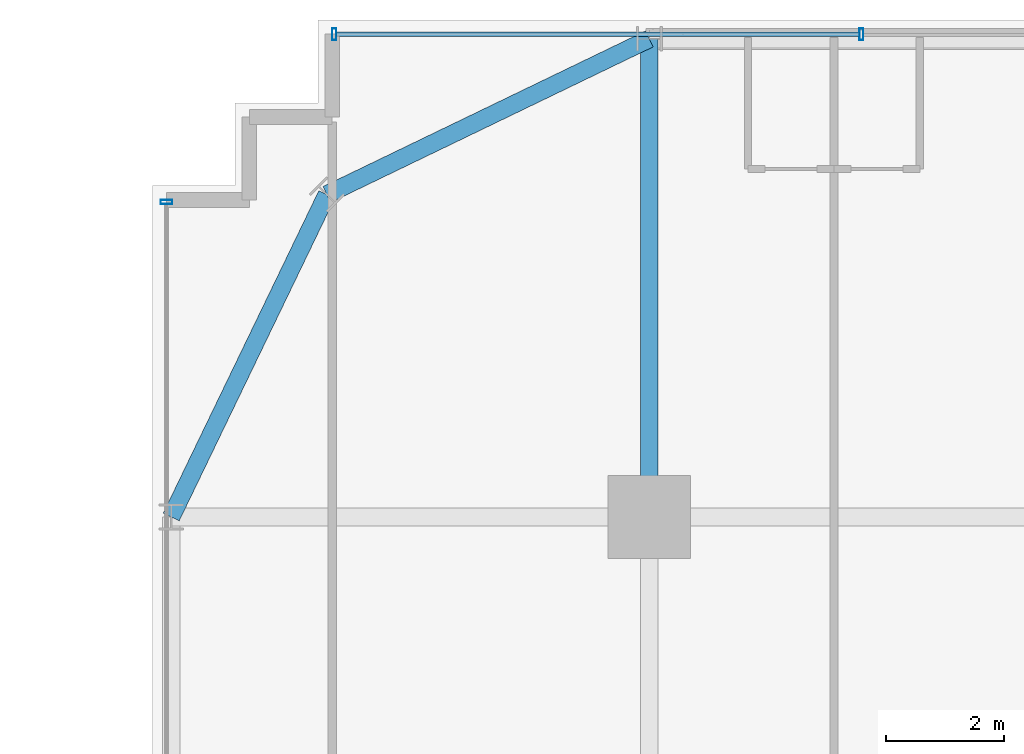
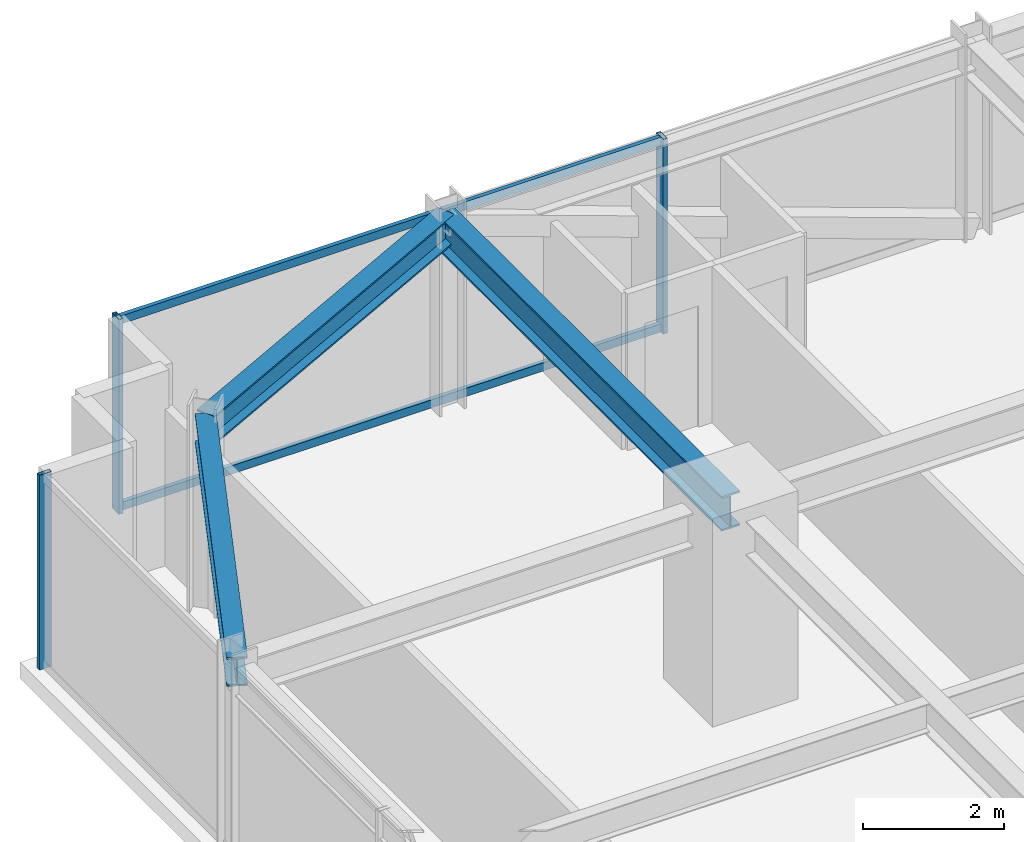
# One storey, part 23 of 38: 5 members, 3 beams, 2 elements without a shape of their own.
"""IFC4 building model written with IfcOpenShell, lengths in metres."""

import ifcopenshell
import ifcopenshell.guid

model = None  # the IFC model being written
_history = None  # IfcOwnerHistory: only IFC2X3 demands one
_inside = {}  # id of a spatial element -> (the spatial element, [elements in it])
_under = {}  # id of a project, library or spatial element -> (it, [spatial elements below it])
_declared = {}  # id of a project -> (the project, [libraries it declares])
_typed = {}  # id of a type object -> (the type object, [elements of that type])
_made_of = {}  # id of a material, layer set ... -> (it, [elements and type objects made of it])


def new_model(schema):
    """Start an empty IFC model of exactly this schema.

    Asked for "IFC4X3", IfcOpenShell would pick the latest addendum, in which some entities
    have other attributes; the version numbers below select the first issue.
    IFC2X3 requires an IfcOwnerHistory on every rooted entity: one is made here for all.
    """
    global model, _history
    if schema == "IFC4X3":
        model = ifcopenshell.file(schema_version=(4, 3, 0, 0))
    else:
        model = ifcopenshell.file(schema=schema)
    _inside.clear()
    _under.clear()
    _declared.clear()
    _typed.clear()
    _made_of.clear()
    _history = None
    if model.schema == "IFC2X3":
        org = make("IfcOrganization", Name="unknown")
        user = make(
            "IfcPersonAndOrganization",
            ThePerson=make("IfcPerson", FamilyName="unknown"),
            TheOrganization=org,
        )
        app = make(
            "IfcApplication",
            ApplicationDeveloper=org,
            Version="unknown",
            ApplicationFullName="unknown",
            ApplicationIdentifier="unknown",
        )
        _history = make(
            "IfcOwnerHistory",
            OwningUser=user,
            OwningApplication=app,
            ChangeAction="ADDED",
            CreationDate=0,
        )
    return model


def make(cls, **values):
    """One entity of the class cls with the attributes given. An attribute that is None is left unset."""
    return model.create_entity(
        cls, **{name: value for name, value in values.items() if value is not None}
    )


def rooted(cls, **values):
    """An entity with a GlobalId (a new one), such as an element, a storey or a relation."""
    return make(cls, GlobalId=ifcopenshell.guid.new(), OwnerHistory=_history, **values)


def si_unit(unit_type, name, prefix=None):
    """IfcSIUnit, for example si_unit("LENGTHUNIT", "METRE", prefix="MILLI")."""
    return make("IfcSIUnit", UnitType=unit_type, Prefix=prefix, Name=name)


def assignment(units):
    """IfcUnitAssignment: the units of a project."""
    return None if units is None else make("IfcUnitAssignment", Units=units)


def point(xyz):
    """IfcCartesianPoint."""
    return None if xyz is None else make("IfcCartesianPoint", Coordinates=xyz)


def direction(xyz):
    """IfcDirection."""
    return None if xyz is None else make("IfcDirection", DirectionRatios=xyz)


def frame(location, z_axis=None, x_axis=None):
    """IfcAxis2Placement3D, a coordinate frame: its origin and axes. An axis left out is left unset."""
    return make(
        "IfcAxis2Placement3D",
        Location=point(location),
        Axis=direction(z_axis),
        RefDirection=direction(x_axis),
    )


def frame_2d(location, x_axis=None):
    """IfcAxis2Placement2D, a coordinate frame in the plane: its origin and x axis."""
    return make(
        "IfcAxis2Placement2D", Location=point(location), RefDirection=direction(x_axis)
    )


def origin():
    """The frame at (0, 0, 0) with its axes left unset."""
    return frame((0.0, 0.0, 0.0))


def origin_2d():
    """The frame at (0, 0) in the plane with its x axis left unset."""
    return frame_2d((0.0, 0.0))


def place(relative_to, where):
    """IfcLocalPlacement: puts the frame where relative to a parent placement (None: the world)."""
    return make(
        "IfcLocalPlacement", PlacementRelTo=relative_to, RelativePlacement=where
    )


def context(
    kind, dimensions, precision=None, world=None, true_north=None, identifier=None
):
    """IfcGeometricRepresentationContext, for example the 3D "Model" context."""
    return make(
        "IfcGeometricRepresentationContext",
        ContextIdentifier=identifier,
        ContextType=kind,
        CoordinateSpaceDimension=dimensions,
        Precision=precision,
        WorldCoordinateSystem=world,
        TrueNorth=true_north,
    )


def subcontext(parent, identifier, kind, view, scale=None):
    """IfcGeometricRepresentationSubContext, for example "Body" below "Model"."""
    return make(
        "IfcGeometricRepresentationSubContext",
        ContextIdentifier=identifier,
        ContextType=kind,
        ParentContext=parent,
        TargetScale=scale,
        TargetView=view,
    )


def project(units=None, contexts=None):
    """IfcProject with its units and contexts."""
    return rooted(
        "IfcProject",
        Name="project",
        RepresentationContexts=contexts,
        UnitsInContext=assignment(units),
    )


def spatial(cls, under=None, at=None, **own):
    """A site, building, storey or space (cls), placed at a placement, below another one or the project."""
    s = rooted(cls, ObjectPlacement=at, **own)
    if under is not None:
        _under.setdefault(under.id(), (under, []))[1].append(s)
    return s


def profile(cls, at=None, kind="AREA", **sizes):
    """A parametric profile (cls). Its sizes go by their IFC names, for example OverallWidth=200.0."""
    return make(cls, ProfileType=kind, Position=at, **sizes)


def hollow_rectangle(**sizes):
    """IfcRectangleHollowProfileDef."""
    return profile("IfcRectangleHollowProfileDef", **sizes)


def i_section(**sizes):
    """IfcIShapeProfileDef."""
    return profile("IfcIShapeProfileDef", **sizes)


def extrude(swept, where, along, depth):
    """IfcExtrudedAreaSolid: the profile swept, set in the frame where, extruded along a direction by depth."""
    return make(
        "IfcExtrudedAreaSolid",
        SweptArea=swept,
        Position=where,
        ExtrudedDirection=direction(along),
        Depth=depth,
    )


def shape(context_of_items, identifier, shape_type, items):
    """IfcShapeRepresentation: the items that make up one representation, for example the "Body"."""
    return make(
        "IfcShapeRepresentation",
        ContextOfItems=context_of_items,
        RepresentationIdentifier=identifier,
        RepresentationType=shape_type,
        Items=items,
    )


def source(mapping_origin, context_of_items, identifier, shape_type, items):
    """IfcRepresentationMap: a shape defined once, which mapped items show again and again."""
    return make(
        "IfcRepresentationMap",
        MappingOrigin=mapping_origin,
        MappedRepresentation=shape(context_of_items, identifier, shape_type, items),
    )


def transform(
    local_origin,
    x_axis=None,
    y_axis=None,
    z_axis=None,
    scale=None,
    scale2=None,
    scale3=None,
    uniform=True,
):
    """IfcCartesianTransformationOperator3D, or its non-uniform kind. x_axis, y_axis, z_axis: its Axis1, 2, 3."""
    if uniform:
        return make(
            "IfcCartesianTransformationOperator3D",
            Axis1=direction(x_axis),
            Axis2=direction(y_axis),
            LocalOrigin=point(local_origin),
            Scale=scale,
            Axis3=direction(z_axis),
        )
    return make(
        "IfcCartesianTransformationOperator3DnonUniform",
        Axis1=direction(x_axis),
        Axis2=direction(y_axis),
        LocalOrigin=point(local_origin),
        Scale=scale,
        Axis3=direction(z_axis),
        Scale2=scale2,
        Scale3=scale3,
    )


def mapped(mapping_source, mapping_target):
    """IfcMappedItem: shows the shape of a source again, moved by a transform."""
    return make(
        "IfcMappedItem", MappingSource=mapping_source, MappingTarget=mapping_target
    )


def material(Name=None, Category=None):
    """IfcMaterial."""
    return make("IfcMaterial", Name=Name, Category=Category)


def material_profile(
    of_material, cross_section, Name=None, Category=None, Priority=None
):
    """IfcMaterialProfile: a cross section and its material."""
    return make(
        "IfcMaterialProfile",
        Name=Name,
        Material=of_material,
        Profile=cross_section,
        Priority=Priority,
        Category=Category,
    )


def profile_set(profiles, Name=None, composite=None):
    """IfcMaterialProfileSet."""
    return make(
        "IfcMaterialProfileSet",
        Name=Name,
        MaterialProfiles=profiles,
        CompositeProfile=composite,
    )


def made_of(thing, what):
    """Note that an element or type object is made of a material, layer set ...; save() writes the relation."""
    if what is not None:
        _made_of.setdefault(what.id(), (what, []))[1].append(thing)
    return thing


def type_object(cls, material=None, **own):
    """A type object (cls), such as IfcWallType, which elements share."""
    return made_of(rooted(cls, **own), material)


def element(
    cls,
    number,
    at=None,
    inside=None,
    cuts=None,
    type_object=None,
    material=None,
    context=None,
    identifier="Body",
    shape_type=None,
    held_by="IfcProductDefinitionShape",
    body=None,
    shapes=None,
    **own,
):
    """One element of the class cls, such as IfcWall. Its Tag is "e" and its number.

    at: its placement. inside: the storey or other place that contains it. cuts: it is an
    opening in that element (IfcRelVoidsElement). A single representation is given by context,
    identifier, shape_type and body (its items); several are given by shapes. held_by: the class
    of the entity that holds the representations. save() writes the other relations.
    """
    e = rooted(cls, Tag="e%d" % number, ObjectPlacement=at, **own)
    if body is not None:
        shapes = [shape(context, identifier, shape_type, body)]
    if shapes is not None:
        e.Representation = make(held_by, Representations=shapes)
    if inside is not None:
        _inside.setdefault(inside.id(), (inside, []))[1].append(e)
    if cuts is not None:
        rooted(
            "IfcRelVoidsElement", RelatingBuildingElement=cuts, RelatedOpeningElement=e
        )
    if type_object is not None:
        _typed.setdefault(type_object.id(), (type_object, []))[1].append(e)
    return made_of(e, material)


def aggregate(whole, parts):
    """IfcRelAggregates: a whole, such as a stair, and the parts it consists of."""
    return rooted("IfcRelAggregates", RelatingObject=whole, RelatedObjects=parts)


def save(model, path):
    """Write the relations noted so far, then the file.

    IfcRelAggregates (storeys below a building ...), IfcRelContainedInSpatialStructure (elements
    in a storey), IfcRelDefinesByType, IfcRelAssociatesMaterial and IfcRelDeclares: one each for
    every whole, place, type object, material and project.
    """
    for whole, parts in _under.values():
        aggregate(whole, parts)
    for where, things in _inside.values():
        rooted(
            "IfcRelContainedInSpatialStructure",
            RelatedElements=things,
            RelatingStructure=where,
        )
    for kind, things in _typed.values():
        rooted("IfcRelDefinesByType", RelatedObjects=things, RelatingType=kind)
    for what, things in _made_of.values():
        rooted("IfcRelAssociatesMaterial", RelatedObjects=things, RelatingMaterial=what)
    for by, libraries in _declared.values():
        rooted("IfcRelDeclares", RelatingContext=by, RelatedDefinitions=libraries)
    model.write(path)


model = new_model("IFC4")

# Units and contexts
model_context = context("Model", 3, precision=1e-05, world=origin(), true_north=direction((0.0, 1.0)))
body_context = subcontext(model_context, "Body", "Model", "MODEL_VIEW")
ifc_project = project(units=[si_unit("LENGTHUNIT", "METRE"), si_unit("AREAUNIT", "SQUARE_METRE"), si_unit("VOLUMEUNIT", "CUBIC_METRE"), si_unit("PLANEANGLEUNIT", "RADIAN"), si_unit("MASSUNIT", "GRAM", prefix="KILO")], contexts=[model_context])

# Site, building, storey
site_placement = place(None, origin())
site = spatial("IfcSite", under=ifc_project, at=site_placement, CompositionType="ELEMENT")
building_placement = place(site_placement, origin())
building = spatial("IfcBuilding", under=site, at=building_placement, Name="Nahalor Promenade Grand Hotel", CompositionType="ELEMENT")
storey_placement = place(building_placement, frame((0.0, 0.0, 50.64990234375)))
storey = spatial("IfcBuildingStorey", under=building, at=storey_placement, Name="L11", CompositionType="ELEMENT", Elevation=50.64990234375)

# Beams
ifc_material_1 = material(Name="Steel S355JR", Category="steel")
ifc_material_profile_1 = material_profile(ifc_material_1, i_section(OverallWidth=0.3, OverallDepth=0.6, WebThickness=0.0155, FlangeThickness=0.03, at=origin_2d()), Name="HEB 600")
ifc_profile_set_1 = profile_set([ifc_material_profile_1], Name="Steel S355JR")
beam_type_1 = type_object("IfcBeamType", Name="Beam-Girder-HEB600", PredefinedType="BEAM", material=ifc_profile_set_1)
shared_shape_1 = source(origin(), body_context, "Body", "SweptSolid", [
    extrude(i_section(OverallWidth=0.3, OverallDepth=0.6, WebThickness=0.0155, FlangeThickness=0.03, at=origin_2d()), origin(), (0.0, 0.0, 1.0), 8.080078125),
])
beam_placement = place(storey_placement, frame((-17.0, 17.0, 3.070068359375), z_axis=(0.0, 1.0, 0.0), x_axis=(-1.0, 0.0, 0.0)))
element("IfcBeam", 1, at=beam_placement, inside=storey, type_object=beam_type_1, Name="BM-L11-GY-0-4", PredefinedType="BEAM", context=body_context, shape_type="MappedRepresentation", body=[
    mapped(shared_shape_1, transform((0.0, 0.0, 0.0), scale=1.0)),
])
ifc_material_profile_2 = material_profile(ifc_material_1, i_section(OverallWidth=0.3, OverallDepth=0.5, WebThickness=0.0145, FlangeThickness=0.028, at=origin_2d()), Name="HEB 500")
ifc_profile_set_2 = profile_set([ifc_material_profile_2], Name="Steel S355JR")
beam_type_2 = type_object("IfcBeamType", Name="Beam-Spandrel-HEB500", PredefinedType="SPANDREL", material=ifc_profile_set_2)
shared_shape_2 = source(origin(), body_context, "Body", "SweptSolid", [
    extrude(i_section(OverallWidth=0.3, OverallDepth=0.5, WebThickness=0.0145, FlangeThickness=0.028, at=origin_2d()), origin(), (0.0, 0.0, 1.0), 6.051513671875),
])
for number, where, z_axis, x_axis, name in (
    (2, (-17.0, 25.080078125, 3.1201171875), (-0.900608818852, -0.434630596492, 0.0), (0.434630596492, -0.900608818852, 0.0), "BM-L11-SPC-NW-1"),
    (3, (-22.449951171875, 22.449951171875, 3.1201171875), (-0.434630596492, -0.900608818852, 0.0), (0.900608818852, -0.434630596492, 0.0), "BM-L11-SPC-NW-2"),
):
    element("IfcBeam", number, at=place(storey_placement, frame(where, z_axis=z_axis, x_axis=x_axis)), inside=storey, type_object=beam_type_2, Name=name, PredefinedType="SPANDREL", context=body_context, shape_type="MappedRepresentation", body=[
        mapped(shared_shape_2, transform((0.0, 0.0, 0.0), scale=1.0)),
    ])

# Curtain wall, members
ifc_material_2 = material(Name="Anodised Bronze Aluminium EN AW-6063 T6", Category="aluminium")
curtain_wall_type = type_object("IfcCurtainWallType", Name="CW3 Elliptical-Void Collar Unitised Curtain Wall", PredefinedType="USERDEFINED", material=ifc_material_2)
curtain_wall_1_placement = place(storey_placement, origin())
curtain_wall_1 = element("IfcCurtainWall", 4, at=curtain_wall_1_placement, inside=storey, type_object=curtain_wall_type, Name="L11 Curtain Wall CW-L11-N-1", ObjectType="UNITISED_CURTAIN_WALL", PredefinedType="USERDEFINED")
ifc_material_profile_3 = material_profile(ifc_material_2, hollow_rectangle(XDim=0.07, YDim=0.14, WallThickness=0.004, at=origin_2d()), Name="CWT 70x140x4")
ifc_profile_set_3 = profile_set([ifc_material_profile_3], Name="Anodised Bronze Aluminium EN AW-6063 T6")
member_type_1 = type_object("IfcMemberType", Name="CWT3 Void Collar Transom 70x140", PredefinedType="USERDEFINED", material=ifc_profile_set_3)
shared_shape_3 = source(origin(), body_context, "Body", "SweptSolid", [
    extrude(hollow_rectangle(XDim=0.07, YDim=0.14, WallThickness=0.004, at=origin_2d()), origin(), (0.0, 0.0, 1.0), 8.839111328125),
])
member_1_placement = place(storey_placement, frame((-22.2900390625, 25.159912109375, 0.070068359375), z_axis=(1.0, 0.0, 0.0), x_axis=(0.0, 1.0, 0.0)))
member_1 = element("IfcMember", 5, at=member_1_placement, type_object=member_type_1, Name="CW-L11-N-1 Transom 0-0", ObjectType="TRANSOM", PredefinedType="USERDEFINED", context=body_context, shape_type="MappedRepresentation", body=[
    mapped(shared_shape_3, transform((0.0, 0.0, 0.0), scale=1.0)),
])
member_2_placement = place(storey_placement, frame((-22.2900390625, 25.159912109375, 3.300048828125), z_axis=(1.0, 0.0, 0.0), x_axis=(0.0, 1.0, 0.0)))
member_2 = element("IfcMember", 6, at=member_2_placement, type_object=member_type_1, Name="CW-L11-N-1 Transom 0-1", ObjectType="TRANSOM", PredefinedType="USERDEFINED", context=body_context, shape_type="MappedRepresentation", body=[
    mapped(shared_shape_3, transform((0.0, 0.0, 0.0), scale=1.0)),
])
ifc_material_profile_4 = material_profile(ifc_material_2, hollow_rectangle(XDim=0.07, YDim=0.2, WallThickness=0.005, at=origin_2d()), Name="CWM 70x200x5")
ifc_profile_set_4 = profile_set([ifc_material_profile_4], Name="Anodised Bronze Aluminium EN AW-6063 T6")
member_type_2 = type_object("IfcMemberType", Name="CWM3 Void Collar Mullion 70x200", PredefinedType="MULLION", material=ifc_profile_set_4)
shared_shape_4 = source(origin(), body_context, "Body", "SweptSolid", [
    extrude(hollow_rectangle(XDim=0.07, YDim=0.2, WallThickness=0.005, at=origin_2d()), origin(), (0.0, 0.0, 1.0), 3.3701171875),
])
member_3_placement = place(storey_placement, frame((-22.324951171875, 25.159912109375, 0.0), z_axis=(0.0, 0.0, 1.0), x_axis=(1.0, 0.0, 0.0)))
member_3 = element("IfcMember", 7, at=member_3_placement, type_object=member_type_2, Name="CW-L11-N-1 Mullion 0", PredefinedType="MULLION", context=body_context, shape_type="MappedRepresentation", body=[
    mapped(shared_shape_4, transform((0.0, 0.0, 0.0), scale=1.0)),
])
member_4_placement = place(storey_placement, frame((-13.416015625, 25.159912109375, 0.0), z_axis=(0.0, 0.0, 1.0), x_axis=(1.0, 0.0, 0.0)))
member_4 = element("IfcMember", 8, at=member_4_placement, type_object=member_type_2, Name="CW-L11-N-1 Mullion 1", PredefinedType="MULLION", context=body_context, shape_type="MappedRepresentation", body=[
    mapped(shared_shape_4, transform((0.0, 0.0, 0.0), scale=1.0)),
])
aggregate(curtain_wall_1, [member_3, member_4, member_1, member_2])

# Curtain wall, member
curtain_wall_2_placement = place(storey_placement, origin())
curtain_wall_2 = element("IfcCurtainWall", 9, at=curtain_wall_2_placement, inside=storey, type_object=curtain_wall_type, Name="L11 Curtain Wall CW-L11-W-4", ObjectType="UNITISED_CURTAIN_WALL", PredefinedType="USERDEFINED")
member_5_placement = place(storey_placement, frame((-25.159912109375, 22.324951171875, 0.0), z_axis=(0.0, 0.0, 1.0), x_axis=(0.0, 1.0, 0.0)))
member_5 = element("IfcMember", 10, at=member_5_placement, type_object=member_type_2, Name="CW-L11-W-4 Mullion 2", PredefinedType="MULLION", context=body_context, shape_type="MappedRepresentation", body=[
    mapped(shared_shape_4, transform((0.0, 0.0, 0.0), scale=1.0)),
])
aggregate(curtain_wall_2, [member_5])

save(model, "model.ifc")
